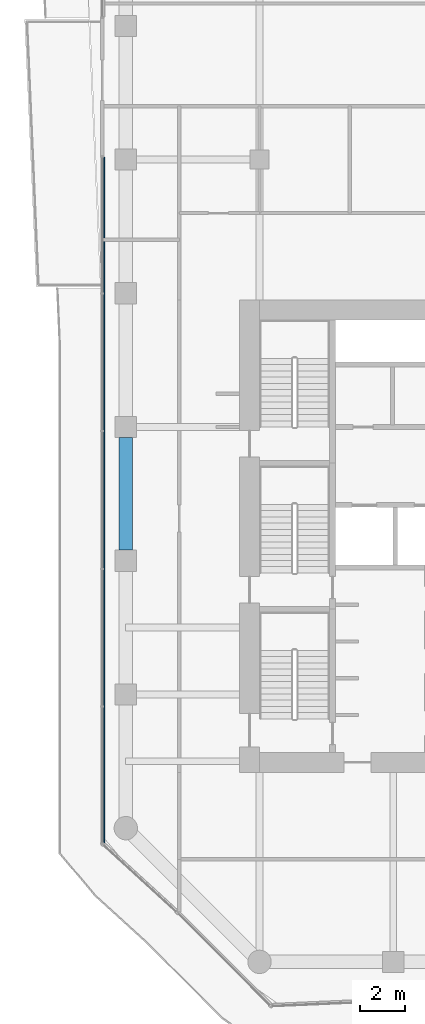
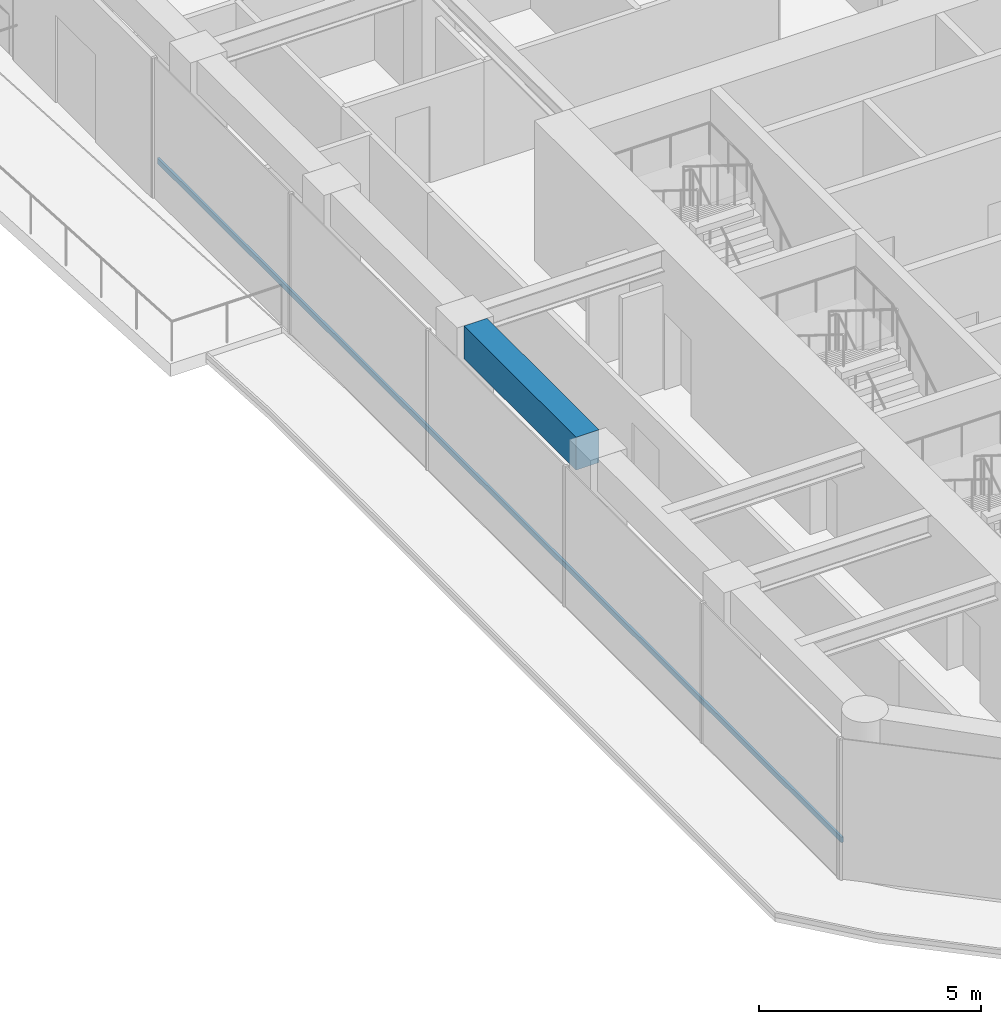
# One storey, part 5 of 29: 1 beam, 1 member, 1 element without a shape of its own.
"""IFC4 building model written with IfcOpenShell, lengths in metres."""

from ifc_helpers import new_model, si_unit, direction, frame, origin, origin_2d, place, context, subcontext, project, spatial, rectangle, extrude, material, layer, layer_set, material_profile, profile_set, type_object, element, aggregate, save


model = new_model("IFC4")

# Units and contexts
model_context = context("Model", 3, precision=1e-05, world=origin(), true_north=direction((0.0, 1.0)))
body_context = subcontext(model_context, "Body", "Model", "MODEL_VIEW")
ifc_project = project(units=[si_unit("LENGTHUNIT", "METRE"), si_unit("AREAUNIT", "SQUARE_METRE"), si_unit("VOLUMEUNIT", "CUBIC_METRE"), si_unit("PLANEANGLEUNIT", "RADIAN"), si_unit("MASSUNIT", "GRAM", prefix="KILO")], contexts=[model_context])

# Site, building, storey
site_placement = place(None, origin())
site = spatial("IfcSite", under=ifc_project, at=site_placement, CompositionType="ELEMENT")
building_placement = place(site_placement, origin())
building = spatial("IfcBuilding", under=site, at=building_placement, Name="Welwitschia Terrace Campus", CompositionType="ELEMENT")
storey_placement = place(building_placement, frame((0.0, 0.0, 62.60009765625)))
storey = spatial("IfcBuildingStorey", under=building, at=storey_placement, Name="L14", CompositionType="ELEMENT", Elevation=62.60009765625)

# Beam
ifc_material_1 = material(Name="Concrete C60/75", Category="concrete")
ifc_material_profile_1 = material_profile(ifc_material_1, rectangle(XDim=0.60009765625, YDim=0.89990234375, at=origin_2d()))
ifc_profile_set_1 = profile_set([ifc_material_profile_1], Name="Concrete C60/75")
beam_type = type_object("IfcBeamType", Name="Ring spandrel 600x900", PredefinedType="SPANDREL", material=ifc_profile_set_1)
beam_placement = place(storey_placement, frame((0.0, 19.5244140625, 3.39990234375), z_axis=(0.0, -1.0, 0.0), x_axis=(1.0, 0.0, 0.0)))
element("IfcBeam", 1, at=beam_placement, inside=storey, type_object=beam_type, Name="Spandrel SP2", PredefinedType="SPANDREL", context=body_context, shape_type="SweptSolid", body=[
    extrude(rectangle(XDim=0.60009765625, YDim=0.89990234375, at=origin_2d()), origin(), (0.0, 0.0, 1.0), 5.048828125),
])

# Curtain wall, member
ifc_material_2 = material(Name="Bronze anodised aluminium", Category="aluminium")
ifc_layer = layer(ifc_material_2, 0.1201171875)
ifc_layer_set = layer_set([ifc_layer], Name="Bronze anodised aluminium")
curtain_wall_type = type_object("IfcCurtainWallType", Name="Curtain wall CW2 tower 6000", PredefinedType="NOTDEFINED", material=ifc_layer_set)
curtain_wall_placement = place(storey_placement, origin())
curtain_wall = element("IfcCurtainWall", 2, at=curtain_wall_placement, inside=storey, type_object=curtain_wall_type, Name="CW L14.12.5", PredefinedType="NOTDEFINED")
ifc_material_3 = material(Name="Bronze anodised aluminium", Category="aluminium")
ifc_material_profile_2 = material_profile(ifc_material_3, rectangle(XDim=0.06005859375, YDim=0.14990234375, at=origin_2d()))
ifc_profile_set_2 = profile_set([ifc_material_profile_2], Name="Bronze anodised aluminium")
member_type = type_object("IfcMemberType", Name="Transom 60x150", PredefinedType="USERDEFINED", material=ifc_profile_set_2)
member_placement = place(storey_placement, frame((-0.968017578125, 32.109375, 1.0), z_axis=(0.0, -1.0, 0.0), x_axis=(1.0, 0.0, 0.0)))
member = element("IfcMember", 3, at=member_placement, type_object=member_type, Name="Transom L14.12.5", ObjectType="TRANSOM", PredefinedType="USERDEFINED", context=body_context, shape_type="SweptSolid", body=[
    extrude(rectangle(XDim=0.06005859375, YDim=0.14990234375, at=origin_2d()), origin(), (0.0, 0.0, 1.0), 30.7685546875),
])
aggregate(curtain_wall, [member])

save(model, "model.ifc")
